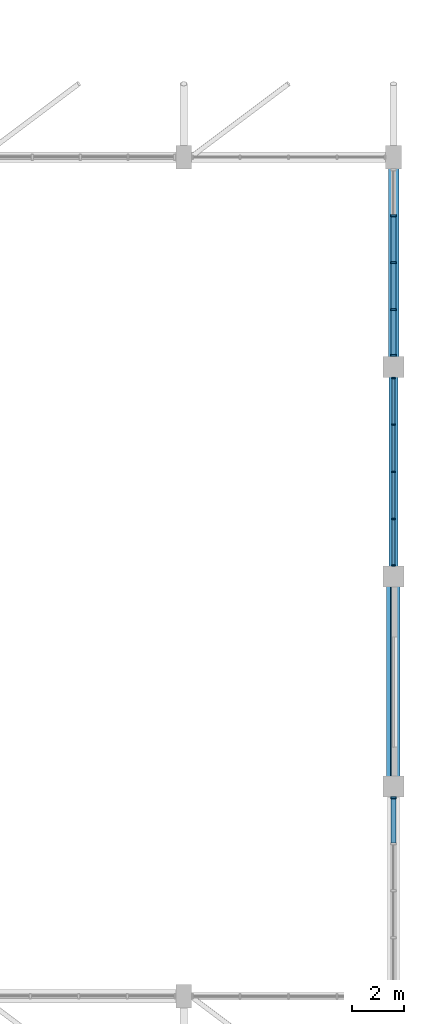
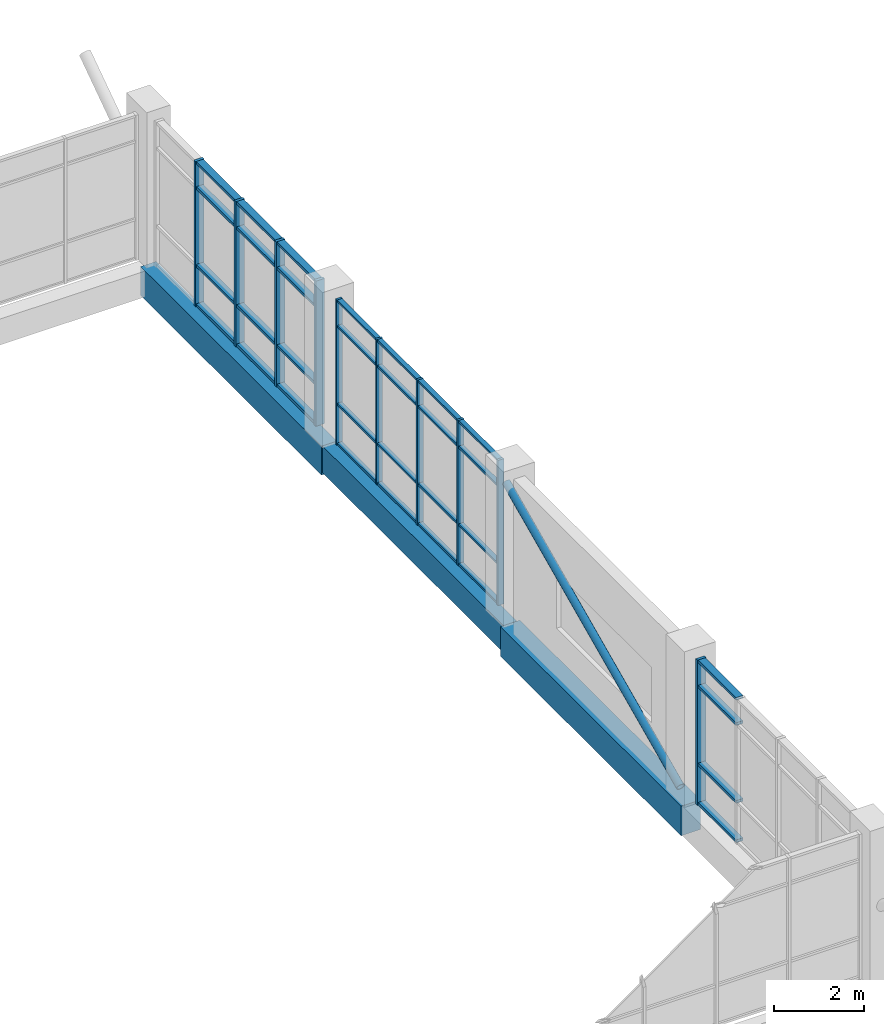
# One storey, part 42 of 84: 43 members, 3 beams, 3 elements without a shape of their own.
"""IFC4 building model written with IfcOpenShell, lengths in metres."""

from ifc_helpers import new_model, si_unit, direction, frame, origin, origin_2d, place, context, subcontext, project, spatial, rectangle, hollow_circle, extrude, material, material_profile, profile_set, type_object, element, aggregate, save


model = new_model("IFC4")

# Units and contexts
model_context = context("Model", 3, precision=1e-05, world=origin(), true_north=direction((0.0, 1.0)))
body_context = subcontext(model_context, "Body", "Model", "MODEL_VIEW")
ifc_project = project(units=[si_unit("LENGTHUNIT", "METRE"), si_unit("AREAUNIT", "SQUARE_METRE"), si_unit("VOLUMEUNIT", "CUBIC_METRE"), si_unit("PLANEANGLEUNIT", "RADIAN"), si_unit("MASSUNIT", "GRAM", prefix="KILO")], contexts=[model_context])

# Site, building, storey
site_placement = place(None, origin())
site = spatial("IfcSite", under=ifc_project, at=site_placement, CompositionType="ELEMENT")
building_placement = place(site_placement, origin())
building = spatial("IfcBuilding", under=site, at=building_placement, Name="Tenunan Teduh Sports Hall", CompositionType="ELEMENT")
storey_placement = place(building_placement, frame((0.0, 0.0, 10.800048828125)))
storey = spatial("IfcBuildingStorey", under=building, at=storey_placement, Name="L02", CompositionType="ELEMENT", Elevation=10.800048828125)

# Beams
ifc_material_1 = material(Name="Concrete C40/50", Category="concrete")
ifc_material_profile_1 = material_profile(ifc_material_1, rectangle(XDim=0.5, YDim=0.800048828125, at=origin_2d()), Name="RCB 500x800")
ifc_profile_set_1 = profile_set([ifc_material_profile_1], Name="Concrete C40/50")
beam_type_1 = type_object("IfcBeamType", Name="BM-RC-500x800", PredefinedType="BEAM", material=ifc_profile_set_1)
beam_1_placement = place(storey_placement, frame((170.0, 22.0, -0.66015625), z_axis=(0.0, 1.0, 0.0), x_axis=(-1.0, 0.0, 0.0)))
element("IfcBeam", 1, at=beam_1_placement, inside=storey, type_object=beam_type_1, Name="BM-B-14-L02-1673", PredefinedType="BEAM", context=body_context, shape_type="SweptSolid", body=[
    extrude(rectangle(XDim=0.5, YDim=0.800048828125, at=origin_2d()), origin(), (0.0, 0.0, 1.0), 8.0),
])
ifc_material_2 = material(Name="Concrete C40/50", Category="concrete")
ifc_material_profile_2 = material_profile(ifc_material_2, rectangle(XDim=0.35009765625, YDim=0.719970703125, at=origin_2d()), Name="TB 350x720")
ifc_profile_set_2 = profile_set([ifc_material_profile_2], Name="Concrete C40/50")
beam_type_2 = type_object("IfcBeamType", Name="BM-TB-350x720", PredefinedType="T_BEAM", material=ifc_profile_set_2)
beam_2_placement = place(storey_placement, frame((170.0, 30.0, -0.6201171875), z_axis=(0.0, 1.0, 0.0), x_axis=(-1.0, 0.0, 0.0)))
element("IfcBeam", 2, at=beam_2_placement, inside=storey, type_object=beam_type_2, Name="BM-TB-01-L02-1674", PredefinedType="T_BEAM", context=body_context, shape_type="SweptSolid", body=[
    extrude(rectangle(XDim=0.35009765625, YDim=0.719970703125, at=origin_2d()), origin(), (0.0, 0.0, 1.0), 8.0),
])
ifc_material_3 = material(Name="Concrete C40/50", Category="concrete")
ifc_material_profile_3 = material_profile(ifc_material_3, rectangle(XDim=0.39990234375, YDim=0.780029296875, at=origin_2d()), Name="TB 400x780")
ifc_profile_set_3 = profile_set([ifc_material_profile_3], Name="Concrete C40/50")
beam_type_3 = type_object("IfcBeamType", Name="BM-TB-400x780", PredefinedType="T_BEAM", material=ifc_profile_set_3)
beam_3_placement = place(storey_placement, frame((170.0, 38.0, -0.650146484375), z_axis=(0.0, 1.0, 0.0), x_axis=(-1.0, 0.0, 0.0)))
element("IfcBeam", 3, at=beam_3_placement, inside=storey, type_object=beam_type_3, Name="BM-TB-02-L02-1675", PredefinedType="T_BEAM", context=body_context, shape_type="SweptSolid", body=[
    extrude(rectangle(XDim=0.39990234375, YDim=0.780029296875, at=origin_2d()), origin(), (0.0, 0.0, 1.0), 8.0),
])

# Curtain wall, members
ifc_material_4 = material(Name="Anodised aluminium", Category="aluminium")
curtain_wall_type = type_object("IfcCurtainWallType", Name="CW-UNIT-2", PredefinedType="NOTDEFINED", material=ifc_material_4)
curtain_wall_1_placement = place(storey_placement, origin())
curtain_wall_1 = element("IfcCurtainWall", 4, at=curtain_wall_1_placement, inside=storey, type_object=curtain_wall_type, Name="CW-CWM-150-L02-031", PredefinedType="NOTDEFINED")
ifc_material_5 = material(Name="Anodised aluminium", Category="aluminium")
ifc_material_profile_4 = material_profile(ifc_material_5, rectangle(XDim=0.06005859375, YDim=0.14990234375, at=origin_2d()), Name="CWM 60x150")
ifc_profile_set_4 = profile_set([ifc_material_profile_4], Name="Anodised aluminium")
member_type_1 = type_object("IfcMemberType", Name="CWM-150", PredefinedType="MULLION", material=ifc_profile_set_4)
member_1_placement = place(storey_placement, frame((170.0, 30.429931640625, 0.0), z_axis=(0.0, 0.0, 1.0), x_axis=(0.0, 1.0, 0.0)))
member_1 = element("IfcMember", 5, at=member_1_placement, type_object=member_type_1, Name="CW-02 mullion 1", PredefinedType="MULLION", context=body_context, shape_type="SweptSolid", body=[
    extrude(rectangle(XDim=0.06005859375, YDim=0.14990234375, at=origin_2d()), origin(), (0.0, 0.0, 1.0), 3.919921875),
])
member_2_placement = place(storey_placement, frame((170.0, 32.199951171875, 0.0), z_axis=(0.0, 0.0, 1.0), x_axis=(0.0, 1.0, 0.0)))
member_2 = element("IfcMember", 6, at=member_2_placement, type_object=member_type_1, Name="CW-02 mullion 2", PredefinedType="MULLION", context=body_context, shape_type="SweptSolid", body=[
    extrude(rectangle(XDim=0.06005859375, YDim=0.14990234375, at=origin_2d()), origin(), (0.0, 0.0, 1.0), 3.919921875),
])
member_3_placement = place(storey_placement, frame((170.0, 34.0, 0.0), z_axis=(0.0, 0.0, 1.0), x_axis=(0.0, 1.0, 0.0)))
member_3 = element("IfcMember", 7, at=member_3_placement, type_object=member_type_1, Name="CW-02 mullion 3", PredefinedType="MULLION", context=body_context, shape_type="SweptSolid", body=[
    extrude(rectangle(XDim=0.06005859375, YDim=0.14990234375, at=origin_2d()), origin(), (0.0, 0.0, 1.0), 3.919921875),
])
member_4_placement = place(storey_placement, frame((170.0, 35.800048828125, 0.0), z_axis=(0.0, 0.0, 1.0), x_axis=(0.0, 1.0, 0.0)))
member_4 = element("IfcMember", 8, at=member_4_placement, type_object=member_type_1, Name="CW-02 mullion 4", PredefinedType="MULLION", context=body_context, shape_type="SweptSolid", body=[
    extrude(rectangle(XDim=0.06005859375, YDim=0.14990234375, at=origin_2d()), origin(), (0.0, 0.0, 1.0), 3.919921875),
])
member_5_placement = place(storey_placement, frame((170.0, 37.570068359375, 0.0), z_axis=(0.0, 0.0, 1.0), x_axis=(0.0, 1.0, 0.0)))
member_5 = element("IfcMember", 9, at=member_5_placement, type_object=member_type_1, Name="CW-02 mullion 5", PredefinedType="MULLION", context=body_context, shape_type="SweptSolid", body=[
    extrude(rectangle(XDim=0.06005859375, YDim=0.14990234375, at=origin_2d()), origin(), (0.0, 0.0, 1.0), 3.919921875),
])

# Curtain wall, member
curtain_wall_2_placement = place(storey_placement, origin())
curtain_wall_2 = element("IfcCurtainWall", 10, at=curtain_wall_2_placement, inside=storey, type_object=curtain_wall_type, Name="CW-CWM-220-L02-029", PredefinedType="NOTDEFINED")
ifc_material_6 = material(Name="Anodised aluminium", Category="aluminium")
ifc_material_profile_5 = material_profile(ifc_material_6, rectangle(XDim=0.074951171875, YDim=0.219970703125, at=origin_2d()), Name="CWM 75x220")
ifc_profile_set_5 = profile_set([ifc_material_profile_5], Name="Anodised aluminium")
member_type_2 = type_object("IfcMemberType", Name="CWM-220", PredefinedType="MULLION", material=ifc_profile_set_5)
member_6_placement = place(storey_placement, frame((170.0, 21.5625, 0.0), z_axis=(0.0, 0.0, 1.0), x_axis=(0.0, 1.0, 0.0)))
member_6 = element("IfcMember", 11, at=member_6_placement, type_object=member_type_2, Name="CW-02 mullion 5", PredefinedType="MULLION", context=body_context, shape_type="SweptSolid", body=[
    extrude(rectangle(XDim=0.074951171875, YDim=0.219970703125, at=origin_2d()), origin(), (0.0, 0.0, 1.0), 3.919921875),
])

# Curtain wall, members
curtain_wall_3_placement = place(storey_placement, origin())
curtain_wall_3 = element("IfcCurtainWall", 12, at=curtain_wall_3_placement, inside=storey, type_object=curtain_wall_type, Name="CW-CWM-220-L02-033", PredefinedType="NOTDEFINED")
member_7_placement = place(storey_placement, frame((170.0, 38.4375, 0.0), z_axis=(0.0, 0.0, 1.0), x_axis=(0.0, 1.0, 0.0)))
member_7 = element("IfcMember", 13, at=member_7_placement, type_object=member_type_2, Name="CW-02 mullion 1", PredefinedType="MULLION", context=body_context, shape_type="SweptSolid", body=[
    extrude(rectangle(XDim=0.074951171875, YDim=0.219970703125, at=origin_2d()), origin(), (0.0, 0.0, 1.0), 3.919921875),
])
member_8_placement = place(storey_placement, frame((170.0, 40.1875, 0.0), z_axis=(0.0, 0.0, 1.0), x_axis=(0.0, 1.0, 0.0)))
member_8 = element("IfcMember", 14, at=member_8_placement, type_object=member_type_2, Name="CW-02 mullion 2", PredefinedType="MULLION", context=body_context, shape_type="SweptSolid", body=[
    extrude(rectangle(XDim=0.074951171875, YDim=0.219970703125, at=origin_2d()), origin(), (0.0, 0.0, 1.0), 3.919921875),
])
member_9_placement = place(storey_placement, frame((170.0, 41.97509765625, 0.0), z_axis=(0.0, 0.0, 1.0), x_axis=(0.0, 1.0, 0.0)))
member_9 = element("IfcMember", 15, at=member_9_placement, type_object=member_type_2, Name="CW-02 mullion 3", PredefinedType="MULLION", context=body_context, shape_type="SweptSolid", body=[
    extrude(rectangle(XDim=0.074951171875, YDim=0.219970703125, at=origin_2d()), origin(), (0.0, 0.0, 1.0), 3.919921875),
])
member_10_placement = place(storey_placement, frame((170.0, 43.762451171875, 0.0), z_axis=(0.0, 0.0, 1.0), x_axis=(0.0, 1.0, 0.0)))
member_10 = element("IfcMember", 16, at=member_10_placement, type_object=member_type_2, Name="CW-02 mullion 4", PredefinedType="MULLION", context=body_context, shape_type="SweptSolid", body=[
    extrude(rectangle(XDim=0.074951171875, YDim=0.219970703125, at=origin_2d()), origin(), (0.0, 0.0, 1.0), 3.919921875),
])

# Member
ifc_material_7 = material(Name="Anodised aluminium", Category="aluminium")
ifc_material_profile_6 = material_profile(ifc_material_7, rectangle(XDim=0.06005859375, YDim=0.1201171875, at=origin_2d()), Name="CWT 60x120")
ifc_profile_set_6 = profile_set([ifc_material_profile_6], Name="Anodised aluminium")
member_type_3 = type_object("IfcMemberType", Name="CWT-125", PredefinedType="USERDEFINED", material=ifc_profile_set_6)
member_11_placement = place(storey_placement, frame((170.0, 30.4599609375, 0.030029296875), z_axis=(0.0, 1.0, 0.0), x_axis=(0.0, 0.0, 1.0)))
member_11 = element("IfcMember", 17, at=member_11_placement, type_object=member_type_3, Name="CW-02 transom 1.1", ObjectType="TRANSOM", PredefinedType="USERDEFINED", context=body_context, shape_type="SweptSolid", body=[
    extrude(rectangle(XDim=0.06005859375, YDim=0.1201171875, at=origin_2d()), origin(), (0.0, 0.0, 1.0), 1.7099609375),
])

member_12_placement = place(storey_placement, frame((170.0, 30.4599609375, 1.099853515625), z_axis=(0.0, 1.0, 0.0), x_axis=(0.0, 0.0, 1.0)))
member_12 = element("IfcMember", 18, at=member_12_placement, type_object=member_type_3, Name="CW-02 transom 1.2", ObjectType="TRANSOM", PredefinedType="USERDEFINED", context=body_context, shape_type="SweptSolid", body=[
    extrude(rectangle(XDim=0.06005859375, YDim=0.1201171875, at=origin_2d()), origin(), (0.0, 0.0, 1.0), 1.7099609375),
])

member_13_placement = place(storey_placement, frame((170.0, 30.4599609375, 3.199951171875), z_axis=(0.0, 1.0, 0.0), x_axis=(0.0, 0.0, 1.0)))
member_13 = element("IfcMember", 19, at=member_13_placement, type_object=member_type_3, Name="CW-02 transom 1.3", ObjectType="TRANSOM", PredefinedType="USERDEFINED", context=body_context, shape_type="SweptSolid", body=[
    extrude(rectangle(XDim=0.06005859375, YDim=0.1201171875, at=origin_2d()), origin(), (0.0, 0.0, 1.0), 1.7099609375),
])

member_14_placement = place(storey_placement, frame((170.0, 30.4599609375, 3.889892578125), z_axis=(0.0, 1.0, 0.0), x_axis=(0.0, 0.0, 1.0)))
member_14 = element("IfcMember", 20, at=member_14_placement, type_object=member_type_3, Name="CW-02 transom 1.4", ObjectType="TRANSOM", PredefinedType="USERDEFINED", context=body_context, shape_type="SweptSolid", body=[
    extrude(rectangle(XDim=0.06005859375, YDim=0.1201171875, at=origin_2d()), origin(), (0.0, 0.0, 1.0), 1.7099609375),
])

member_15_placement = place(storey_placement, frame((170.0, 32.22998046875, 0.030029296875), z_axis=(0.0, 1.0, 0.0), x_axis=(0.0, 0.0, 1.0)))
member_15 = element("IfcMember", 21, at=member_15_placement, type_object=member_type_3, Name="CW-02 transom 2.1", ObjectType="TRANSOM", PredefinedType="USERDEFINED", context=body_context, shape_type="SweptSolid", body=[
    extrude(rectangle(XDim=0.06005859375, YDim=0.1201171875, at=origin_2d()), origin(), (0.0, 0.0, 1.0), 1.739990234375),
])

member_16_placement = place(storey_placement, frame((170.0, 32.22998046875, 1.099853515625), z_axis=(0.0, 1.0, 0.0), x_axis=(0.0, 0.0, 1.0)))
member_16 = element("IfcMember", 22, at=member_16_placement, type_object=member_type_3, Name="CW-02 transom 2.2", ObjectType="TRANSOM", PredefinedType="USERDEFINED", context=body_context, shape_type="SweptSolid", body=[
    extrude(rectangle(XDim=0.06005859375, YDim=0.1201171875, at=origin_2d()), origin(), (0.0, 0.0, 1.0), 1.739990234375),
])

member_17_placement = place(storey_placement, frame((170.0, 32.22998046875, 3.199951171875), z_axis=(0.0, 1.0, 0.0), x_axis=(0.0, 0.0, 1.0)))
member_17 = element("IfcMember", 23, at=member_17_placement, type_object=member_type_3, Name="CW-02 transom 2.3", ObjectType="TRANSOM", PredefinedType="USERDEFINED", context=body_context, shape_type="SweptSolid", body=[
    extrude(rectangle(XDim=0.06005859375, YDim=0.1201171875, at=origin_2d()), origin(), (0.0, 0.0, 1.0), 1.739990234375),
])

member_18_placement = place(storey_placement, frame((170.0, 32.22998046875, 3.889892578125), z_axis=(0.0, 1.0, 0.0), x_axis=(0.0, 0.0, 1.0)))
member_18 = element("IfcMember", 24, at=member_18_placement, type_object=member_type_3, Name="CW-02 transom 2.4", ObjectType="TRANSOM", PredefinedType="USERDEFINED", context=body_context, shape_type="SweptSolid", body=[
    extrude(rectangle(XDim=0.06005859375, YDim=0.1201171875, at=origin_2d()), origin(), (0.0, 0.0, 1.0), 1.739990234375),
])

member_19_placement = place(storey_placement, frame((170.0, 34.030029296875, 0.030029296875), z_axis=(0.0, 1.0, 0.0), x_axis=(0.0, 0.0, 1.0)))
member_19 = element("IfcMember", 25, at=member_19_placement, type_object=member_type_3, Name="CW-02 transom 3.1", ObjectType="TRANSOM", PredefinedType="USERDEFINED", context=body_context, shape_type="SweptSolid", body=[
    extrude(rectangle(XDim=0.06005859375, YDim=0.1201171875, at=origin_2d()), origin(), (0.0, 0.0, 1.0), 1.739990234375),
])

member_20_placement = place(storey_placement, frame((170.0, 34.030029296875, 1.099853515625), z_axis=(0.0, 1.0, 0.0), x_axis=(0.0, 0.0, 1.0)))
member_20 = element("IfcMember", 26, at=member_20_placement, type_object=member_type_3, Name="CW-02 transom 3.2", ObjectType="TRANSOM", PredefinedType="USERDEFINED", context=body_context, shape_type="SweptSolid", body=[
    extrude(rectangle(XDim=0.06005859375, YDim=0.1201171875, at=origin_2d()), origin(), (0.0, 0.0, 1.0), 1.739990234375),
])

member_21_placement = place(storey_placement, frame((170.0, 34.030029296875, 3.199951171875), z_axis=(0.0, 1.0, 0.0), x_axis=(0.0, 0.0, 1.0)))
member_21 = element("IfcMember", 27, at=member_21_placement, type_object=member_type_3, Name="CW-02 transom 3.3", ObjectType="TRANSOM", PredefinedType="USERDEFINED", context=body_context, shape_type="SweptSolid", body=[
    extrude(rectangle(XDim=0.06005859375, YDim=0.1201171875, at=origin_2d()), origin(), (0.0, 0.0, 1.0), 1.739990234375),
])

member_22_placement = place(storey_placement, frame((170.0, 34.030029296875, 3.889892578125), z_axis=(0.0, 1.0, 0.0), x_axis=(0.0, 0.0, 1.0)))
member_22 = element("IfcMember", 28, at=member_22_placement, type_object=member_type_3, Name="CW-02 transom 3.4", ObjectType="TRANSOM", PredefinedType="USERDEFINED", context=body_context, shape_type="SweptSolid", body=[
    extrude(rectangle(XDim=0.06005859375, YDim=0.1201171875, at=origin_2d()), origin(), (0.0, 0.0, 1.0), 1.739990234375),
])

member_23_placement = place(storey_placement, frame((170.0, 35.830078125, 0.030029296875), z_axis=(0.0, 1.0, 0.0), x_axis=(0.0, 0.0, 1.0)))
member_23 = element("IfcMember", 29, at=member_23_placement, type_object=member_type_3, Name="CW-02 transom 4.1", ObjectType="TRANSOM", PredefinedType="USERDEFINED", context=body_context, shape_type="SweptSolid", body=[
    extrude(rectangle(XDim=0.06005859375, YDim=0.1201171875, at=origin_2d()), origin(), (0.0, 0.0, 1.0), 1.7099609375),
])

member_24_placement = place(storey_placement, frame((170.0, 35.830078125, 1.099853515625), z_axis=(0.0, 1.0, 0.0), x_axis=(0.0, 0.0, 1.0)))
member_24 = element("IfcMember", 30, at=member_24_placement, type_object=member_type_3, Name="CW-02 transom 4.2", ObjectType="TRANSOM", PredefinedType="USERDEFINED", context=body_context, shape_type="SweptSolid", body=[
    extrude(rectangle(XDim=0.06005859375, YDim=0.1201171875, at=origin_2d()), origin(), (0.0, 0.0, 1.0), 1.7099609375),
])

member_25_placement = place(storey_placement, frame((170.0, 35.830078125, 3.199951171875), z_axis=(0.0, 1.0, 0.0), x_axis=(0.0, 0.0, 1.0)))
member_25 = element("IfcMember", 31, at=member_25_placement, type_object=member_type_3, Name="CW-02 transom 4.3", ObjectType="TRANSOM", PredefinedType="USERDEFINED", context=body_context, shape_type="SweptSolid", body=[
    extrude(rectangle(XDim=0.06005859375, YDim=0.1201171875, at=origin_2d()), origin(), (0.0, 0.0, 1.0), 1.7099609375),
])

member_26_placement = place(storey_placement, frame((170.0, 35.830078125, 3.889892578125), z_axis=(0.0, 1.0, 0.0), x_axis=(0.0, 0.0, 1.0)))
member_26 = element("IfcMember", 32, at=member_26_placement, type_object=member_type_3, Name="CW-02 transom 4.4", ObjectType="TRANSOM", PredefinedType="USERDEFINED", context=body_context, shape_type="SweptSolid", body=[
    extrude(rectangle(XDim=0.06005859375, YDim=0.1201171875, at=origin_2d()), origin(), (0.0, 0.0, 1.0), 1.7099609375),
])

aggregate(curtain_wall_1, [member_1, member_2, member_3, member_4, member_5, member_11, member_12, member_13, member_14, member_15, member_16, member_17, member_18, member_19, member_20, member_21, member_22, member_23, member_24, member_25, member_26])

ifc_material_8 = material(Name="Anodised aluminium", Category="aluminium")
ifc_material_profile_7 = material_profile(ifc_material_8, rectangle(XDim=0.074951171875, YDim=0.179931640625, at=origin_2d()), Name="CWT 75x180")
ifc_profile_set_7 = profile_set([ifc_material_profile_7], Name="Anodised aluminium")
member_type_4 = type_object("IfcMemberType", Name="CWT-180", PredefinedType="USERDEFINED", material=ifc_profile_set_7)
member_27_placement = place(storey_placement, frame((170.0, 19.85009765625, 0.037353515625), z_axis=(0.0, 1.0, 0.0), x_axis=(0.0, 0.0, 1.0)))
member_27 = element("IfcMember", 33, at=member_27_placement, type_object=member_type_4, Name="CW-02 transom 4.1", ObjectType="TRANSOM", PredefinedType="USERDEFINED", context=body_context, shape_type="SweptSolid", body=[
    extrude(rectangle(XDim=0.074951171875, YDim=0.179931640625, at=origin_2d()), origin(), (0.0, 0.0, 1.0), 1.6748046875),
])

member_28_placement = place(storey_placement, frame((170.0, 19.85009765625, 1.099853515625), z_axis=(0.0, 1.0, 0.0), x_axis=(0.0, 0.0, 1.0)))
member_28 = element("IfcMember", 34, at=member_28_placement, type_object=member_type_4, Name="CW-02 transom 4.2", ObjectType="TRANSOM", PredefinedType="USERDEFINED", context=body_context, shape_type="SweptSolid", body=[
    extrude(rectangle(XDim=0.074951171875, YDim=0.179931640625, at=origin_2d()), origin(), (0.0, 0.0, 1.0), 1.6748046875),
])

member_29_placement = place(storey_placement, frame((170.0, 19.85009765625, 3.199951171875), z_axis=(0.0, 1.0, 0.0), x_axis=(0.0, 0.0, 1.0)))
member_29 = element("IfcMember", 35, at=member_29_placement, type_object=member_type_4, Name="CW-02 transom 4.3", ObjectType="TRANSOM", PredefinedType="USERDEFINED", context=body_context, shape_type="SweptSolid", body=[
    extrude(rectangle(XDim=0.074951171875, YDim=0.179931640625, at=origin_2d()), origin(), (0.0, 0.0, 1.0), 1.6748046875),
])

member_30_placement = place(storey_placement, frame((170.0, 19.85009765625, 3.882568359375), z_axis=(0.0, 1.0, 0.0), x_axis=(0.0, 0.0, 1.0)))
member_30 = element("IfcMember", 36, at=member_30_placement, type_object=member_type_4, Name="CW-02 transom 4.4", ObjectType="TRANSOM", PredefinedType="USERDEFINED", context=body_context, shape_type="SweptSolid", body=[
    extrude(rectangle(XDim=0.074951171875, YDim=0.179931640625, at=origin_2d()), origin(), (0.0, 0.0, 1.0), 1.6748046875),
])

aggregate(curtain_wall_2, [member_6, member_27, member_28, member_29, member_30])

member_31_placement = place(storey_placement, frame((170.0, 38.47509765625, 0.037353515625), z_axis=(0.0, 1.0, 0.0), x_axis=(0.0, 0.0, 1.0)))
member_31 = element("IfcMember", 37, at=member_31_placement, type_object=member_type_4, Name="CW-02 transom 1.1", ObjectType="TRANSOM", PredefinedType="USERDEFINED", context=body_context, shape_type="SweptSolid", body=[
    extrude(rectangle(XDim=0.074951171875, YDim=0.179931640625, at=origin_2d()), origin(), (0.0, 0.0, 1.0), 1.6748046875),
])

member_32_placement = place(storey_placement, frame((170.0, 38.47509765625, 1.099853515625), z_axis=(0.0, 1.0, 0.0), x_axis=(0.0, 0.0, 1.0)))
member_32 = element("IfcMember", 38, at=member_32_placement, type_object=member_type_4, Name="CW-02 transom 1.2", ObjectType="TRANSOM", PredefinedType="USERDEFINED", context=body_context, shape_type="SweptSolid", body=[
    extrude(rectangle(XDim=0.074951171875, YDim=0.179931640625, at=origin_2d()), origin(), (0.0, 0.0, 1.0), 1.6748046875),
])

member_33_placement = place(storey_placement, frame((170.0, 38.47509765625, 3.199951171875), z_axis=(0.0, 1.0, 0.0), x_axis=(0.0, 0.0, 1.0)))
member_33 = element("IfcMember", 39, at=member_33_placement, type_object=member_type_4, Name="CW-02 transom 1.3", ObjectType="TRANSOM", PredefinedType="USERDEFINED", context=body_context, shape_type="SweptSolid", body=[
    extrude(rectangle(XDim=0.074951171875, YDim=0.179931640625, at=origin_2d()), origin(), (0.0, 0.0, 1.0), 1.6748046875),
])

member_34_placement = place(storey_placement, frame((170.0, 38.47509765625, 3.882568359375), z_axis=(0.0, 1.0, 0.0), x_axis=(0.0, 0.0, 1.0)))
member_34 = element("IfcMember", 40, at=member_34_placement, type_object=member_type_4, Name="CW-02 transom 1.4", ObjectType="TRANSOM", PredefinedType="USERDEFINED", context=body_context, shape_type="SweptSolid", body=[
    extrude(rectangle(XDim=0.074951171875, YDim=0.179931640625, at=origin_2d()), origin(), (0.0, 0.0, 1.0), 1.6748046875),
])

member_35_placement = place(storey_placement, frame((170.0, 40.22509765625, 0.037353515625), z_axis=(0.0, 1.0, 0.0), x_axis=(0.0, 0.0, 1.0)))
member_35 = element("IfcMember", 41, at=member_35_placement, type_object=member_type_4, Name="CW-02 transom 2.1", ObjectType="TRANSOM", PredefinedType="USERDEFINED", context=body_context, shape_type="SweptSolid", body=[
    extrude(rectangle(XDim=0.074951171875, YDim=0.179931640625, at=origin_2d()), origin(), (0.0, 0.0, 1.0), 1.71240234375),
])

member_36_placement = place(storey_placement, frame((170.0, 40.22509765625, 1.099853515625), z_axis=(0.0, 1.0, 0.0), x_axis=(0.0, 0.0, 1.0)))
member_36 = element("IfcMember", 42, at=member_36_placement, type_object=member_type_4, Name="CW-02 transom 2.2", ObjectType="TRANSOM", PredefinedType="USERDEFINED", context=body_context, shape_type="SweptSolid", body=[
    extrude(rectangle(XDim=0.074951171875, YDim=0.179931640625, at=origin_2d()), origin(), (0.0, 0.0, 1.0), 1.71240234375),
])

member_37_placement = place(storey_placement, frame((170.0, 40.22509765625, 3.199951171875), z_axis=(0.0, 1.0, 0.0), x_axis=(0.0, 0.0, 1.0)))
member_37 = element("IfcMember", 43, at=member_37_placement, type_object=member_type_4, Name="CW-02 transom 2.3", ObjectType="TRANSOM", PredefinedType="USERDEFINED", context=body_context, shape_type="SweptSolid", body=[
    extrude(rectangle(XDim=0.074951171875, YDim=0.179931640625, at=origin_2d()), origin(), (0.0, 0.0, 1.0), 1.71240234375),
])

member_38_placement = place(storey_placement, frame((170.0, 40.22509765625, 3.882568359375), z_axis=(0.0, 1.0, 0.0), x_axis=(0.0, 0.0, 1.0)))
member_38 = element("IfcMember", 44, at=member_38_placement, type_object=member_type_4, Name="CW-02 transom 2.4", ObjectType="TRANSOM", PredefinedType="USERDEFINED", context=body_context, shape_type="SweptSolid", body=[
    extrude(rectangle(XDim=0.074951171875, YDim=0.179931640625, at=origin_2d()), origin(), (0.0, 0.0, 1.0), 1.71240234375),
])

member_39_placement = place(storey_placement, frame((170.0, 42.012451171875, 0.037353515625), z_axis=(0.0, 1.0, 0.0), x_axis=(0.0, 0.0, 1.0)))
member_39 = element("IfcMember", 45, at=member_39_placement, type_object=member_type_4, Name="CW-02 transom 3.1", ObjectType="TRANSOM", PredefinedType="USERDEFINED", context=body_context, shape_type="SweptSolid", body=[
    extrude(rectangle(XDim=0.074951171875, YDim=0.179931640625, at=origin_2d()), origin(), (0.0, 0.0, 1.0), 1.712646484375),
])

member_40_placement = place(storey_placement, frame((170.0, 42.012451171875, 1.099853515625), z_axis=(0.0, 1.0, 0.0), x_axis=(0.0, 0.0, 1.0)))
member_40 = element("IfcMember", 46, at=member_40_placement, type_object=member_type_4, Name="CW-02 transom 3.2", ObjectType="TRANSOM", PredefinedType="USERDEFINED", context=body_context, shape_type="SweptSolid", body=[
    extrude(rectangle(XDim=0.074951171875, YDim=0.179931640625, at=origin_2d()), origin(), (0.0, 0.0, 1.0), 1.712646484375),
])

member_41_placement = place(storey_placement, frame((170.0, 42.012451171875, 3.199951171875), z_axis=(0.0, 1.0, 0.0), x_axis=(0.0, 0.0, 1.0)))
member_41 = element("IfcMember", 47, at=member_41_placement, type_object=member_type_4, Name="CW-02 transom 3.3", ObjectType="TRANSOM", PredefinedType="USERDEFINED", context=body_context, shape_type="SweptSolid", body=[
    extrude(rectangle(XDim=0.074951171875, YDim=0.179931640625, at=origin_2d()), origin(), (0.0, 0.0, 1.0), 1.712646484375),
])

member_42_placement = place(storey_placement, frame((170.0, 42.012451171875, 3.882568359375), z_axis=(0.0, 1.0, 0.0), x_axis=(0.0, 0.0, 1.0)))
member_42 = element("IfcMember", 48, at=member_42_placement, type_object=member_type_4, Name="CW-02 transom 3.4", ObjectType="TRANSOM", PredefinedType="USERDEFINED", context=body_context, shape_type="SweptSolid", body=[
    extrude(rectangle(XDim=0.074951171875, YDim=0.179931640625, at=origin_2d()), origin(), (0.0, 0.0, 1.0), 1.712646484375),
])

aggregate(curtain_wall_3, [member_7, member_8, member_9, member_10, member_31, member_32, member_33, member_34, member_35, member_36, member_37, member_38, member_39, member_40, member_41, member_42])

ifc_material_9 = material(Name="Steel S355", Category="steel")
ifc_material_profile_8 = material_profile(ifc_material_9, hollow_circle(Radius=0.096923828125, WallThickness=0.008056640625, at=origin_2d()), Name="CHS 193.7x8.0")
ifc_profile_set_8 = profile_set([ifc_material_profile_8], Name="Steel S355")
member_type_5 = type_object("IfcMemberType", Name="MEM-BR-CHS194", PredefinedType="BRACE", material=ifc_profile_set_8)
member_43_placement = place(storey_placement, frame((169.820068359375, 22.14990234375, 0.14990234375), z_axis=(0.0, 0.908133749762, 0.418680179305), x_axis=(-1.0, 0.0, 0.0)))
element("IfcMember", 49, at=member_43_placement, inside=storey, type_object=member_type_5, Name="MEM-GD-03-L02-1456", PredefinedType="BRACE", context=body_context, shape_type="SweptSolid", body=[
    extrude(hollow_circle(Radius=0.096923828125, WallThickness=0.008056640625, at=origin_2d()), origin(), (0.0, 0.0, 1.0), 8.479248046875),
])

save(model, "model.ifc")
